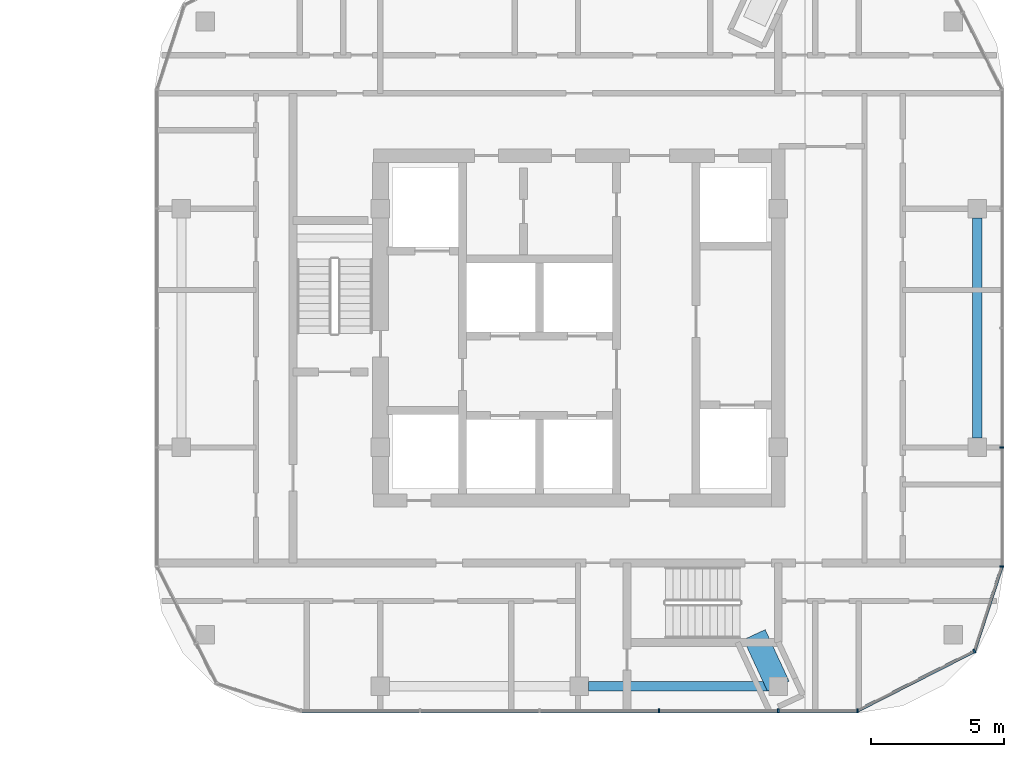
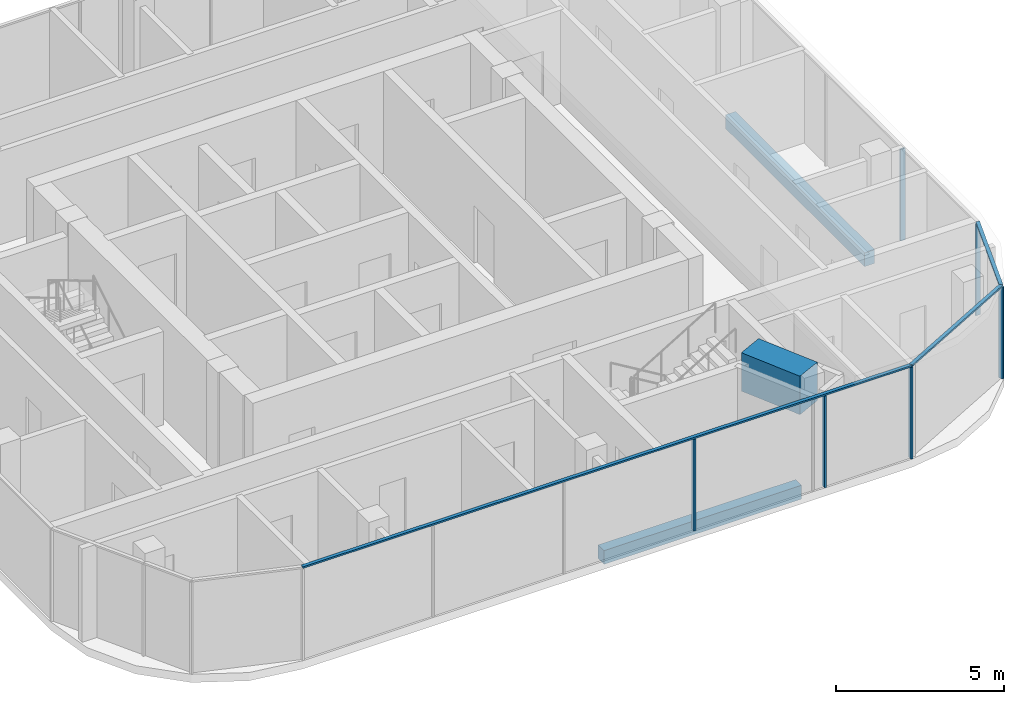
# One storey, part 8 of 35: 9 members, 3 beams, 3 elements without a shape of their own.
"""IFC4 building model written with IfcOpenShell, lengths in metres."""

from ifc_helpers import new_model, si_unit, direction, frame, origin, origin_2d, place, context, subcontext, project, spatial, rectangle, extrude, material, material_profile, profile_set, type_object, element, aggregate, save


model = new_model("IFC4")

# Units and contexts
model_context = context("Model", 3, precision=1e-05, world=origin(), true_north=direction((0.0, 1.0)))
body_context = subcontext(model_context, "Body", "Model", "MODEL_VIEW")
ifc_project = project(units=[si_unit("LENGTHUNIT", "METRE"), si_unit("AREAUNIT", "SQUARE_METRE"), si_unit("VOLUMEUNIT", "CUBIC_METRE"), si_unit("PLANEANGLEUNIT", "RADIAN"), si_unit("MASSUNIT", "GRAM", prefix="KILO")], contexts=[model_context])

# Site, building, storey
site_placement = place(None, origin())
site = spatial("IfcSite", under=ifc_project, at=site_placement, CompositionType="ELEMENT")
building_placement = place(site_placement, origin())
building = spatial("IfcBuilding", under=site, at=building_placement, Name="Ogive Portal Towers", CompositionType="ELEMENT")
storey_placement = place(building_placement, frame((0.0, 0.0, 90.800048828125)))
storey = spatial("IfcBuildingStorey", under=building, at=storey_placement, Name="L21", CompositionType="ELEMENT", Elevation=90.800048828125)

# Curtain wall, members
ifc_material_1 = material(Name="Glass, clear low-iron insulated glazing", Category="glass")
curtain_wall_type = type_object("IfcCurtainWallType", Name="CW RESIDENCES RIBBON", PredefinedType="NOTDEFINED", material=ifc_material_1)
curtain_wall_1_placement = place(storey_placement, origin())
curtain_wall_1 = element("IfcCurtainWall", 1, at=curtain_wall_1_placement, inside=storey, type_object=curtain_wall_type, Name="B:L21:f02:cw0", PredefinedType="NOTDEFINED")
ifc_material_2 = material(Name="Aluminium 6063 anodised", Category="aluminium")
ifc_material_profile_1 = material_profile(ifc_material_2, rectangle(XDim=0.159912109375, YDim=0.06005859375, at=origin_2d()), Name="AL 60x160")
ifc_profile_set_1 = profile_set([ifc_material_profile_1], Name="Aluminium 6063 anodised")
member_type_1 = type_object("IfcMemberType", Name="CW MULLION 60x160", PredefinedType="MULLION", material=ifc_profile_set_1)
member_1_placement = place(storey_placement, frame((139.5, 16.570068359375, 0.0), z_axis=(0.0, 0.0, 1.0), x_axis=(0.0, 1.0, 0.0)))
member_1 = element("IfcMember", 2, at=member_1_placement, type_object=member_type_1, Name="mullion", PredefinedType="MULLION", context=body_context, shape_type="SweptSolid", body=[
    extrude(rectangle(XDim=0.159912109375, YDim=0.06005859375, at=origin_2d()), origin(), (0.0, 0.0, 1.0), 3.33984375),
])
member_2_placement = place(storey_placement, frame((144.0, 16.570068359375, 0.0), z_axis=(0.0, 0.0, 1.0), x_axis=(0.0, 1.0, 0.0)))
member_2 = element("IfcMember", 3, at=member_2_placement, type_object=member_type_1, Name="mullion", PredefinedType="MULLION", context=body_context, shape_type="SweptSolid", body=[
    extrude(rectangle(XDim=0.159912109375, YDim=0.06005859375, at=origin_2d()), origin(), (0.0, 0.0, 1.0), 3.33984375),
])
member_3_placement = place(storey_placement, frame((146.980712890625, 16.570068359375, 0.0), z_axis=(0.0, 0.0, 1.0), x_axis=(0.0, 1.0, 0.0)))
member_3 = element("IfcMember", 4, at=member_3_placement, type_object=member_type_1, Name="mullion", PredefinedType="MULLION", context=body_context, shape_type="SweptSolid", body=[
    extrude(rectangle(XDim=0.159912109375, YDim=0.06005859375, at=origin_2d()), origin(), (0.0, 0.0, 1.0), 3.33984375),
])

curtain_wall_2_placement = place(storey_placement, origin())
curtain_wall_2 = element("IfcCurtainWall", 5, at=curtain_wall_2_placement, inside=storey, type_object=curtain_wall_type, Name="B:L21:f05:cw0", PredefinedType="NOTDEFINED")
member_4_placement = place(storey_placement, frame((152.429931640625, 22.0126953125, 0.0), z_axis=(0.0, 0.0, 1.0), x_axis=(-1.0, 0.0, 0.0)))
member_4 = element("IfcMember", 6, at=member_4_placement, type_object=member_type_1, Name="mullion", PredefinedType="MULLION", context=body_context, shape_type="SweptSolid", body=[
    extrude(rectangle(XDim=0.159912109375, YDim=0.06005859375, at=origin_2d()), origin(), (0.0, 0.0, 1.0), 3.33984375),
])
member_5_placement = place(storey_placement, frame((152.429931640625, 26.5, 0.0), z_axis=(0.0, 0.0, 1.0), x_axis=(-1.0, 0.0, 0.0)))
member_5 = element("IfcMember", 7, at=member_5_placement, type_object=member_type_1, Name="mullion", PredefinedType="MULLION", context=body_context, shape_type="SweptSolid", body=[
    extrude(rectangle(XDim=0.159912109375, YDim=0.06005859375, at=origin_2d()), origin(), (0.0, 0.0, 1.0), 3.33984375),
])
aggregate(curtain_wall_2, [member_4, member_5])

# Curtain wall, member
curtain_wall_3_placement = place(storey_placement, origin())
curtain_wall_3 = element("IfcCurtainWall", 8, at=curtain_wall_3_placement, inside=storey, type_object=curtain_wall_type, Name="B:L21:f03:cwa", PredefinedType="NOTDEFINED")
member_6_placement = place(storey_placement, frame((151.391845703125, 18.817626953125, 0.0), z_axis=(0.0, 0.0, 1.0), x_axis=(-0.45399049974, 0.891006524188, 0.0)))
member_6 = element("IfcMember", 9, at=member_6_placement, type_object=member_type_1, Name="mullion", PredefinedType="MULLION", context=body_context, shape_type="SweptSolid", body=[
    extrude(rectangle(XDim=0.159912109375, YDim=0.06005859375, at=origin_2d()), origin(), (0.0, 0.0, 1.0), 3.33984375),
])

# Member
ifc_material_profile_2 = material_profile(ifc_material_2, rectangle(XDim=0.1201171875, YDim=0.06005859375, at=origin_2d()), Name="AL 120x60")
ifc_profile_set_2 = profile_set([ifc_material_profile_2], Name="Aluminium 6063 anodised")
member_type_2 = type_object("IfcMemberType", Name="CW TRANSOM 60x120", PredefinedType="USERDEFINED", material=ifc_profile_set_2)
member_7_placement = place(storey_placement, frame((126.0126953125, 16.570068359375, 3.369873046875), z_axis=(1.0, 0.0, 0.0), x_axis=(0.0, 1.0, 0.0)))
member_7 = element("IfcMember", 10, at=member_7_placement, type_object=member_type_2, Name="transom", ObjectType="TRANSOM", PredefinedType="USERDEFINED", context=body_context, shape_type="SweptSolid", body=[
    extrude(rectangle(XDim=0.1201171875, YDim=0.06005859375, at=origin_2d()), origin(), (0.0, 0.0, 1.0), 20.968017578125),
])

aggregate(curtain_wall_1, [member_7, member_1, member_2, member_3])

member_8_placement = place(storey_placement, frame((146.980712890625, 16.570068359375, 3.369873046875), z_axis=(0.891008635106, 0.453986356807, 0.0), x_axis=(-0.453986356807, 0.891008635106, 0.0)))
member_8 = element("IfcMember", 11, at=member_8_placement, type_object=member_type_2, Name="transom", ObjectType="TRANSOM", PredefinedType="USERDEFINED", context=body_context, shape_type="SweptSolid", body=[
    extrude(rectangle(XDim=0.1201171875, YDim=0.06005859375, at=origin_2d()), origin(), (0.0, 0.0, 1.0), 4.95068359375),
])

member_9_placement = place(storey_placement, frame((151.391845703125, 18.817626953125, 3.369873046875), z_axis=(0.309002265981, 0.951061301714, 0.0), x_axis=(-0.951061301714, 0.309002265981, 0.0)))
member_9 = element("IfcMember", 12, at=member_9_placement, type_object=member_type_2, Name="transom", ObjectType="TRANSOM", PredefinedType="USERDEFINED", context=body_context, shape_type="SweptSolid", body=[
    extrude(rectangle(XDim=0.1201171875, YDim=0.06005859375, at=origin_2d()), origin(), (0.0, 0.0, 1.0), 3.359375),
])

aggregate(curtain_wall_3, [member_8, member_9, member_6])

# Beams
ifc_material_3 = material(Name="Concrete C50/60", Category="concrete")
ifc_material_profile_3 = material_profile(ifc_material_3, rectangle(XDim=0.35009765625, YDim=0.5, at=origin_2d()), Name="RC 350x500")
ifc_profile_set_3 = profile_set([ifc_material_profile_3], Name="Concrete C50/60")
beam_type_1 = type_object("IfcBeamType", Name="SPANDREL BEAM RC 350x500", PredefinedType="BEAM", material=ifc_profile_set_3)
beam_1_placement = place(storey_placement, frame((136.85009765625, 17.5, -0.550048828125), z_axis=(1.0, 0.0, 0.0), x_axis=(0.0, 1.0, 0.0)))
element("IfcBeam", 13, at=beam_1_placement, inside=storey, type_object=beam_type_1, Name="Spandrel beam L21", PredefinedType="BEAM", context=body_context, shape_type="SweptSolid", body=[
    extrude(rectangle(XDim=0.35009765625, YDim=0.5, at=origin_2d()), origin(), (0.0, 0.0, 1.0), 6.7998046875),
])
beam_2_placement = place(storey_placement, frame((151.5, 26.85009765625, -0.550048828125), z_axis=(0.0, 1.0, 0.0), x_axis=(-1.0, 0.0, 0.0)))
element("IfcBeam", 14, at=beam_2_placement, inside=storey, type_object=beam_type_1, Name="Spandrel beam L21", PredefinedType="BEAM", context=body_context, shape_type="SweptSolid", body=[
    extrude(rectangle(XDim=0.35009765625, YDim=0.5, at=origin_2d()), origin(), (0.0, 0.0, 1.0), 8.2998046875),
])
ifc_material_profile_4 = material_profile(ifc_material_3, rectangle(XDim=0.89990234375, YDim=1.39990234375, at=origin_2d()), Name="RC 900x1400")
ifc_profile_set_4 = profile_set([ifc_material_profile_4], Name="Concrete C50/60")
beam_type_2 = type_object("IfcBeamType", Name="TRANSFER BEAM RC 900x1400", PredefinedType="BEAM", material=ifc_profile_set_4)
beam_3_placement = place(storey_placement, frame((144.0, 17.5, 3.0), z_axis=(-0.420836519205, 0.907136496953, 0.0), x_axis=(-0.907136496953, -0.420836519205, 0.0)))
element("IfcBeam", 15, at=beam_3_placement, inside=storey, type_object=beam_type_2, Name="Transfer beam L22", PredefinedType="BEAM", context=body_context, shape_type="SweptSolid", body=[
    extrude(rectangle(XDim=0.89990234375, YDim=1.39990234375, at=origin_2d()), origin(), (0.0, 0.0, 1.0), 2.140625),
])

save(model, "model.ifc")
